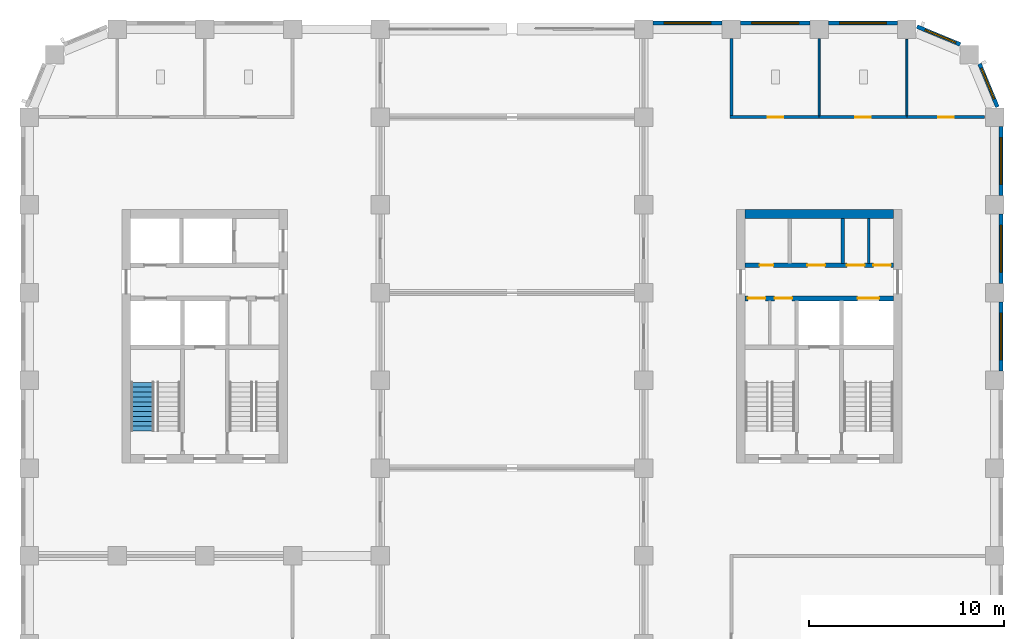
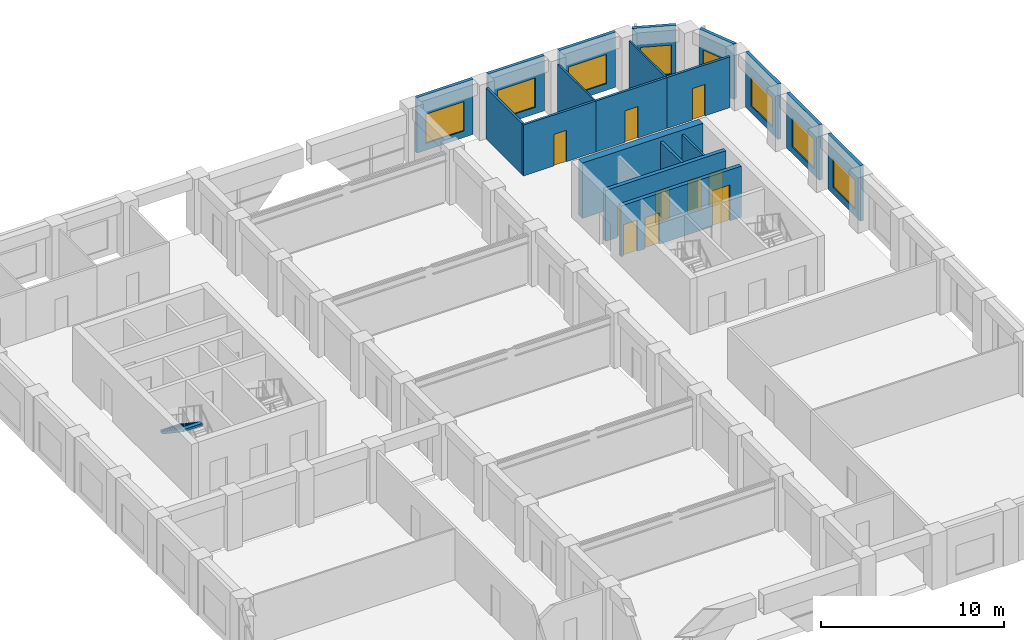
# One storey, part 10 of 14: 19 walls, 10 doors, 8 windows, 1 stair flight, 18 openings, 1 element without a shape of its own.
"""IFC4 building model written with IfcOpenShell, lengths in metres."""

from ifc_helpers import new_model, si_unit, direction, frame, frame_2d, origin, place, context, subcontext, project, spatial, polyline, rectangle, outline, extrude, material, layer, layer_set, type_object, element, fill, aggregate, save


model = new_model("IFC4")

# Units and contexts
model_context = context("Model", 3, precision=1e-05, world=origin(), true_north=direction((0.0, 1.0)))
body_context = subcontext(model_context, "Body", "Model", "MODEL_VIEW")
ifc_project = project(units=[si_unit("LENGTHUNIT", "METRE"), si_unit("AREAUNIT", "SQUARE_METRE"), si_unit("VOLUMEUNIT", "CUBIC_METRE"), si_unit("PLANEANGLEUNIT", "RADIAN"), si_unit("MASSUNIT", "GRAM", prefix="KILO")], contexts=[model_context])

# Site, building, storey
site_placement = place(None, origin())
site = spatial("IfcSite", under=ifc_project, at=site_placement, CompositionType="ELEMENT")
building_placement = place(site_placement, origin())
building = spatial("IfcBuilding", under=site, at=building_placement, Name="Girih Gate Residences", CompositionType="ELEMENT")
storey_placement = place(building_placement, frame((0.0, 0.0, 172.60009765625)))
storey = spatial("IfcBuildingStorey", under=building, at=storey_placement, Name="L47", CompositionType="ELEMENT", Elevation=172.60009765625)

# Wall, opening, door
ifc_material_1 = material(Name="Gypsum board on steel studs", Category="steel")
ifc_layer_1 = layer(ifc_material_1, 0.14990234375)
ifc_layer_set_1 = layer_set([ifc_layer_1], Name="Compartment wall 150 mm")
wall_type_1 = type_object("IfcWallType", Name="Compartment wall 150 mm", PredefinedType="PARTITIONING", material=ifc_layer_set_1)
wall_1_placement = place(storey_placement, frame((45.0, 45.0, 0.0), z_axis=(0.0, 0.0, 1.0), x_axis=(1.0, 0.0, 0.0)))
wall_1 = element("IfcWall", 1, at=wall_1_placement, inside=storey, type_object=wall_type_1, Name="L47 partition", PredefinedType="PARTITIONING", context=body_context, shape_type="SweptSolid", body=[
    extrude(rectangle(XDim=3.98583984375, YDim=0.14990234375, at=frame_2d((1.992919921875, 0.0))), origin(), (0.0, 0.0, 1.0), 3.39990234375),
])
opening_1_placement = place(wall_1_placement, frame((1.593017578125, 0.0, 0.0)))
opening_1 = element("IfcOpeningElement", 2, at=opening_1_placement, cuts=wall_1, Name="Opening D-L47-S-010", PredefinedType="OPENING", context=body_context, shape_type="SweptSolid", body=[
    extrude(rectangle(XDim=0.800048828125, YDim=2.10009765625, at=frame_2d((0.39990234375, 1.050048828125))), frame((0.0, 0.0849609375, 0.0), z_axis=(0.0, -1.0, 0.0), x_axis=(1.0, 0.0, 0.0)), (0.0, 0.0, 1.0), 0.169921875),
])
ifc_material_2 = material(Name="Timber", Category="wood")
door_type_1 = type_object("IfcDoorType", Name="WC and store door 800x2100", OperationType="SINGLE_SWING_LEFT", PredefinedType="DOOR", material=ifc_material_2)
door_1_placement = place(opening_1_placement, origin())
door_1 = element("IfcDoor", 3, at=door_1_placement, inside=storey, type_object=door_type_1, Name="Door L47-010", OperationType="SINGLE_SWING_RIGHT", OverallHeight=2.10009765625, OverallWidth=0.800048828125, PredefinedType="DOOR", context=body_context, shape_type="SweptSolid", body=[
    extrude(rectangle(XDim=0.800048828125, YDim=2.10009765625, at=frame_2d((0.39990234375, 1.050048828125))), frame((0.0, 0.02490234375, 0.0), z_axis=(0.0, -1.0, 0.0), x_axis=(1.0, 0.0, 0.0)), (0.0, 0.0, 1.0), 0.050048828125),
])
fill(opening_1, door_1)

wall_2_placement = place(storey_placement, frame((40.5, 45.0, 0.0), z_axis=(0.0, 0.0, 1.0), x_axis=(1.0, 0.0, 0.0)))
wall_2 = element("IfcWall", 4, at=wall_2_placement, inside=storey, type_object=wall_type_1, Name="L47 partition", PredefinedType="PARTITIONING", context=body_context, shape_type="SweptSolid", body=[
    extrude(rectangle(XDim=4.5, YDim=0.14990234375, at=frame_2d((2.25, 0.0))), origin(), (0.0, 0.0, 1.0), 3.39990234375),
])
opening_2_placement = place(wall_2_placement, frame((1.85009765625, 0.0, 0.0)))
opening_2 = element("IfcOpeningElement", 5, at=opening_2_placement, cuts=wall_2, Name="Opening D-L47-S-011", PredefinedType="OPENING", context=body_context, shape_type="SweptSolid", body=[
    extrude(rectangle(XDim=0.800048828125, YDim=2.10009765625, at=frame_2d((0.39990234375, 1.050048828125))), frame((0.0, 0.0849609375, 0.0), z_axis=(0.0, -1.0, 0.0), x_axis=(1.0, 0.0, 0.0)), (0.0, 0.0, 1.0), 0.169921875),
])
door_2_placement = place(opening_2_placement, origin())
door_2 = element("IfcDoor", 6, at=door_2_placement, inside=storey, type_object=door_type_1, Name="Door L47-011", OperationType="SINGLE_SWING_RIGHT", OverallHeight=2.10009765625, OverallWidth=0.800048828125, PredefinedType="DOOR", context=body_context, shape_type="SweptSolid", body=[
    extrude(rectangle(XDim=0.800048828125, YDim=2.10009765625, at=frame_2d((0.39990234375, 1.050048828125))), frame((0.0, 0.02490234375, 0.0), z_axis=(0.0, -1.0, 0.0), x_axis=(1.0, 0.0, 0.0)), (0.0, 0.0, 1.0), 0.050048828125),
])
fill(opening_2, door_2)

# Wall
wall_3_placement = place(storey_placement, frame((36.0, 45.074951171875, 0.0), z_axis=(0.0, 0.0, 1.0), x_axis=(0.0, 1.0, 0.0)))
element("IfcWall", 7, at=wall_3_placement, inside=storey, type_object=wall_type_1, Name="L47 partition", PredefinedType="PARTITIONING", context=body_context, shape_type="SweptSolid", body=[
    extrude(rectangle(XDim=3.949951171875, YDim=0.14990234375, at=frame_2d((1.97509765625, 0.0))), origin(), (0.0, 0.0, 1.0), 3.39990234375),
])

# Wall, opening, door
wall_4_placement = place(storey_placement, frame((35.925048828125, 45.0, 0.0), z_axis=(0.0, 0.0, 1.0), x_axis=(1.0, 0.0, 0.0)))
wall_4 = element("IfcWall", 8, at=wall_4_placement, inside=storey, type_object=wall_type_1, Name="L47 partition", PredefinedType="PARTITIONING", context=body_context, shape_type="SweptSolid", body=[
    extrude(rectangle(XDim=4.574951171875, YDim=0.14990234375, at=frame_2d((2.28759765625, 0.0))), origin(), (0.0, 0.0, 1.0), 3.39990234375),
])
opening_3_placement = place(wall_4_placement, frame((1.925048828125, 0.0, 0.0)))
opening_3 = element("IfcOpeningElement", 9, at=opening_3_placement, cuts=wall_4, Name="Opening D-L47-S-012", PredefinedType="OPENING", context=body_context, shape_type="SweptSolid", body=[
    extrude(rectangle(XDim=0.800048828125, YDim=2.10009765625, at=frame_2d((0.39990234375, 1.050048828125))), frame((0.0, 0.0849609375, 0.0), z_axis=(0.0, -1.0, 0.0), x_axis=(1.0, 0.0, 0.0)), (0.0, 0.0, 1.0), 0.169921875),
])
door_3_placement = place(opening_3_placement, origin())
door_3 = element("IfcDoor", 10, at=door_3_placement, inside=storey, type_object=door_type_1, Name="Door L47-012", OperationType="SINGLE_SWING_RIGHT", OverallHeight=2.10009765625, OverallWidth=0.800048828125, PredefinedType="DOOR", context=body_context, shape_type="SweptSolid", body=[
    extrude(rectangle(XDim=0.800048828125, YDim=2.10009765625, at=frame_2d((0.39990234375, 1.050048828125))), frame((0.0, 0.02490234375, 0.0), z_axis=(0.0, -1.0, 0.0), x_axis=(1.0, 0.0, 0.0)), (0.0, 0.0, 1.0), 0.050048828125),
])
fill(opening_3, door_3)

# Wall
ifc_material_3 = material(Name="Concrete C60/75", Category="concrete")
ifc_layer_2 = layer(ifc_material_3, 0.449951171875)
ifc_layer_set_2 = layer_set([ifc_layer_2], Name="Core wall RC 450 Concrete C60/75")
wall_type_2 = type_object("IfcWallType", Name="Core wall RC 450 Concrete C60/75", PredefinedType="SOLIDWALL", material=ifc_layer_set_2)
wall_5_placement = place(storey_placement, frame((36.699951171875, 40.02490234375, 0.0), z_axis=(0.0, 0.0, 1.0), x_axis=(1.0, 0.0, 0.0)))
element("IfcWall", 11, at=wall_5_placement, inside=storey, type_object=wall_type_2, Name="Core wall E-N L47", PredefinedType="SOLIDWALL", context=body_context, shape_type="SweptSolid", body=[
    extrude(rectangle(XDim=7.60009765625, YDim=0.449951171875, at=frame_2d((3.800048828125, 0.0))), origin(), (0.0, 0.0, 1.0), 3.699951171875),
])

# Wall, openings, doors
ifc_material_4 = material(Name="Concrete C40/50", Category="concrete")
ifc_layer_3 = layer(ifc_material_4, 0.25)
ifc_layer_set_3 = layer_set([ifc_layer_3], Name="Lift shaft wall 250")
wall_type_3 = type_object("IfcWallType", Name="Lift shaft wall 250", PredefinedType="SOLIDWALL", material=ifc_layer_set_3)
wall_6_placement = place(storey_placement, frame((36.699951171875, 35.699951171875, 0.0), z_axis=(0.0, 0.0, 1.0), x_axis=(1.0, 0.0, 0.0)))
wall_6 = element("IfcWall", 12, at=wall_6_placement, inside=storey, type_object=wall_type_3, Name="L47 E core wall H2", PredefinedType="SOLIDWALL", context=body_context, shape_type="SweptSolid", body=[
    extrude(rectangle(XDim=7.60009765625, YDim=0.25, at=frame_2d((3.800048828125, 0.0))), origin(), (0.0, 0.0, 1.0), 3.39990234375),
])
opening_4_placement = place(wall_6_placement, frame((5.77490234375, 0.0, 0.0)))
opening_4 = element("IfcOpeningElement", 13, at=opening_4_placement, cuts=wall_6, Name="Opening D-L47-E-003", PredefinedType="OPENING", context=body_context, shape_type="SweptSolid", body=[
    extrude(rectangle(XDim=1.10009765625, YDim=2.39990234375, at=frame_2d((0.550048828125, 1.199951171875))), frame((0.0, 0.135009765625, 0.0), z_axis=(0.0, -1.0, 0.0), x_axis=(1.0, 0.0, 0.0)), (0.0, 0.0, 1.0), 0.27001953125),
])
opening_5_placement = place(wall_6_placement, frame((1.512451171875, 0.0, 0.0)))
opening_5 = element("IfcOpeningElement", 14, at=opening_5_placement, cuts=wall_6, Name="Opening D-L47-E-006", PredefinedType="OPENING", context=body_context, shape_type="SweptSolid", body=[
    extrude(rectangle(XDim=0.89990234375, YDim=2.10009765625, at=frame_2d((0.449951171875, 1.050048828125))), frame((0.0, 0.135009765625, 0.0), z_axis=(0.0, -1.0, 0.0), x_axis=(1.0, 0.0, 0.0)), (0.0, 0.0, 1.0), 0.27001953125),
])
opening_6_placement = place(wall_6_placement, frame((0.137451171875, 0.0, 0.0)))
opening_6 = element("IfcOpeningElement", 15, at=opening_6_placement, cuts=wall_6, Name="Opening D-L47-E-007", PredefinedType="OPENING", context=body_context, shape_type="SweptSolid", body=[
    extrude(rectangle(XDim=0.89990234375, YDim=2.10009765625, at=frame_2d((0.449951171875, 1.050048828125))), frame((0.0, 0.135009765625, 0.0), z_axis=(0.0, -1.0, 0.0), x_axis=(1.0, 0.0, 0.0)), (0.0, 0.0, 1.0), 0.27001953125),
])
ifc_material_5 = material(Name="Painted steel, fire-resisting", Category="steel")
door_type_2 = type_object("IfcDoorType", Name="Fire door 900x2100", OperationType="SINGLE_SWING_LEFT", PredefinedType="DOOR", material=ifc_material_5)
door_4_placement = place(opening_5_placement, origin())
door_4 = element("IfcDoor", 16, at=door_4_placement, inside=storey, type_object=door_type_2, Name="L47 E store door", OperationType="SINGLE_SWING_LEFT", OverallHeight=2.10009765625, OverallWidth=0.89990234375, PredefinedType="DOOR", context=body_context, shape_type="SweptSolid", body=[
    extrude(rectangle(XDim=0.89990234375, YDim=2.10009765625, at=frame_2d((0.449951171875, 1.050048828125))), frame((0.0, 0.02490234375, 0.0), z_axis=(0.0, -1.0, 0.0), x_axis=(1.0, 0.0, 0.0)), (0.0, 0.0, 1.0), 0.050048828125),
])
fill(opening_5, door_4)
door_5_placement = place(opening_6_placement, origin())
door_5 = element("IfcDoor", 17, at=door_5_placement, inside=storey, type_object=door_type_2, Name="L47 E comms room door", OperationType="SINGLE_SWING_LEFT", OverallHeight=2.10009765625, OverallWidth=0.89990234375, PredefinedType="DOOR", context=body_context, shape_type="SweptSolid", body=[
    extrude(rectangle(XDim=0.89990234375, YDim=2.10009765625, at=frame_2d((0.449951171875, 1.050048828125))), frame((0.0, 0.02490234375, 0.0), z_axis=(0.0, -1.0, 0.0), x_axis=(1.0, 0.0, 0.0)), (0.0, 0.0, 1.0), 0.050048828125),
])
fill(opening_6, door_5)
ifc_material_6 = material(Name="Stainless steel", Category="steel")
door_type_3 = type_object("IfcDoorType", Name="Lift landing door 1100x2400", OperationType="SLIDING_TO_LEFT", PredefinedType="DOOR", material=ifc_material_6)
door_6_placement = place(opening_4_placement, origin())
door_6 = element("IfcDoor", 18, at=door_6_placement, inside=storey, type_object=door_type_3, Name="L47 lift HR-E1 landing door", OperationType="SLIDING_TO_LEFT", OverallHeight=2.39990234375, OverallWidth=1.10009765625, PredefinedType="DOOR", context=body_context, shape_type="SweptSolid", body=[
    extrude(rectangle(XDim=1.10009765625, YDim=2.39990234375, at=frame_2d((0.550048828125, 1.199951171875))), frame((0.0, 0.02490234375, 0.0), z_axis=(0.0, -1.0, 0.0), x_axis=(1.0, 0.0, 0.0)), (0.0, 0.0, 1.0), 0.050048828125),
])
fill(opening_4, door_6)

wall_7_placement = place(storey_placement, frame((36.699951171875, 37.39990234375, 0.0), z_axis=(0.0, 0.0, 1.0), x_axis=(1.0, 0.0, 0.0)))
wall_7 = element("IfcWall", 19, at=wall_7_placement, inside=storey, type_object=wall_type_3, Name="L47 E core wall H3", PredefinedType="SOLIDWALL", context=body_context, shape_type="SweptSolid", body=[
    extrude(rectangle(XDim=7.60009765625, YDim=0.25, at=frame_2d((3.800048828125, 0.0))), origin(), (0.0, 0.0, 1.0), 3.39990234375),
])
opening_7_placement = place(wall_7_placement, frame((0.75, 0.0, 0.0)))
opening_7 = element("IfcOpeningElement", 20, at=opening_7_placement, cuts=wall_7, Name="Opening D-L47-E-005", PredefinedType="OPENING", context=body_context, shape_type="SweptSolid", body=[
    extrude(rectangle(XDim=0.699951171875, YDim=2.10009765625, at=frame_2d((0.35009765625, 1.050048828125))), frame((0.0, 0.135009765625, 0.0), z_axis=(0.0, -1.0, 0.0), x_axis=(1.0, 0.0, 0.0)), (0.0, 0.0, 1.0), 0.27001953125),
])
opening_8_placement = place(wall_7_placement, frame((6.574951171875, 0.0, 0.0)))
opening_8 = element("IfcOpeningElement", 21, at=opening_8_placement, cuts=wall_7, Name="Opening D-L47-E-008", PredefinedType="OPENING", context=body_context, shape_type="SweptSolid", body=[
    extrude(rectangle(XDim=0.89990234375, YDim=2.10009765625, at=frame_2d((0.449951171875, 1.050048828125))), frame((0.0, 0.135009765625, 0.0), z_axis=(0.0, -1.0, 0.0), x_axis=(1.0, 0.0, 0.0)), (0.0, 0.0, 1.0), 0.27001953125),
])
opening_9_placement = place(wall_7_placement, frame((5.22509765625, 0.0, 0.0)))
opening_9 = element("IfcOpeningElement", 22, at=opening_9_placement, cuts=wall_7, Name="Opening D-L47-E-009", PredefinedType="OPENING", context=body_context, shape_type="SweptSolid", body=[
    extrude(rectangle(XDim=0.89990234375, YDim=2.10009765625, at=frame_2d((0.449951171875, 1.050048828125))), frame((0.0, 0.135009765625, 0.0), z_axis=(0.0, -1.0, 0.0), x_axis=(1.0, 0.0, 0.0)), (0.0, 0.0, 1.0), 0.27001953125),
])
opening_10_placement = place(wall_7_placement, frame((3.199951171875, 0.0, 0.0)))
opening_10 = element("IfcOpeningElement", 23, at=opening_10_placement, cuts=wall_7, Name="Opening D-L47-E-010", PredefinedType="OPENING", context=body_context, shape_type="SweptSolid", body=[
    extrude(rectangle(XDim=0.89990234375, YDim=2.10009765625, at=frame_2d((0.449951171875, 1.050048828125))), frame((0.0, 0.135009765625, 0.0), z_axis=(0.0, -1.0, 0.0), x_axis=(1.0, 0.0, 0.0)), (0.0, 0.0, 1.0), 0.27001953125),
])
door_7_placement = place(opening_8_placement, origin())
door_7 = element("IfcDoor", 24, at=door_7_placement, inside=storey, type_object=door_type_2, Name="L47 E refuse store door", OperationType="SINGLE_SWING_LEFT", OverallHeight=2.10009765625, OverallWidth=0.89990234375, PredefinedType="DOOR", context=body_context, shape_type="SweptSolid", body=[
    extrude(rectangle(XDim=0.89990234375, YDim=2.10009765625, at=frame_2d((0.449951171875, 1.050048828125))), frame((0.0, 0.02490234375, 0.0), z_axis=(0.0, -1.0, 0.0), x_axis=(1.0, 0.0, 0.0)), (0.0, 0.0, 1.0), 0.050048828125),
])
fill(opening_8, door_7)
door_8_placement = place(opening_9_placement, origin())
door_8 = element("IfcDoor", 25, at=door_8_placement, inside=storey, type_object=door_type_2, Name="L47 E cleaners store door", OperationType="SINGLE_SWING_LEFT", OverallHeight=2.10009765625, OverallWidth=0.89990234375, PredefinedType="DOOR", context=body_context, shape_type="SweptSolid", body=[
    extrude(rectangle(XDim=0.89990234375, YDim=2.10009765625, at=frame_2d((0.449951171875, 1.050048828125))), frame((0.0, 0.02490234375, 0.0), z_axis=(0.0, -1.0, 0.0), x_axis=(1.0, 0.0, 0.0)), (0.0, 0.0, 1.0), 0.050048828125),
])
fill(opening_9, door_8)
door_9_placement = place(opening_10_placement, origin())
door_9 = element("IfcDoor", 26, at=door_9_placement, inside=storey, type_object=door_type_2, Name="L47 E maintenance store door", OperationType="SINGLE_SWING_LEFT", OverallHeight=2.10009765625, OverallWidth=0.89990234375, PredefinedType="DOOR", context=body_context, shape_type="SweptSolid", body=[
    extrude(rectangle(XDim=0.89990234375, YDim=2.10009765625, at=frame_2d((0.449951171875, 1.050048828125))), frame((0.0, 0.02490234375, 0.0), z_axis=(0.0, -1.0, 0.0), x_axis=(1.0, 0.0, 0.0)), (0.0, 0.0, 1.0), 0.050048828125),
])
fill(opening_10, door_9)
door_type_4 = type_object("IfcDoorType", Name="Riser access door 700x2100", OperationType="SINGLE_SWING_LEFT", PredefinedType="DOOR", material=ifc_material_5)
door_10_placement = place(opening_7_placement, origin())
door_10 = element("IfcDoor", 27, at=door_10_placement, inside=storey, type_object=door_type_4, Name="L47 E riser room door", OperationType="SINGLE_SWING_LEFT", OverallHeight=2.10009765625, OverallWidth=0.699951171875, PredefinedType="DOOR", context=body_context, shape_type="SweptSolid", body=[
    extrude(rectangle(XDim=0.699951171875, YDim=2.10009765625, at=frame_2d((0.35009765625, 1.050048828125))), frame((0.0, 0.02490234375, 0.0), z_axis=(0.0, -1.0, 0.0), x_axis=(1.0, 0.0, 0.0)), (0.0, 0.0, 1.0), 0.050048828125),
])
fill(opening_7, door_10)

# Walls
ifc_layer_4 = layer(ifc_material_1, 0.10009765625)
ifc_layer_set_4 = layer_set([ifc_layer_4], Name="Partition 100 mm")
wall_type_4 = type_object("IfcWallType", Name="Partition 100 mm", PredefinedType="PARTITIONING", material=ifc_layer_set_4)
wall_8_placement = place(storey_placement, frame((45.0, 45.074951171875, 0.0), z_axis=(0.0, 0.0, 1.0), x_axis=(0.0, 1.0, 0.0)))
element("IfcWall", 28, at=wall_8_placement, inside=storey, type_object=wall_type_4, Name="L47 partition", PredefinedType="PARTITIONING", context=body_context, shape_type="SweptSolid", body=[
    extrude(rectangle(XDim=3.910888671875, YDim=0.10009765625, at=frame_2d((1.95556640625, 0.0))), origin(), (0.0, 0.0, 1.0), 3.39990234375),
])
wall_9_placement = place(storey_placement, frame((40.5, 45.074951171875, 0.0), z_axis=(0.0, 0.0, 1.0), x_axis=(0.0, 1.0, 0.0)))
element("IfcWall", 29, at=wall_9_placement, inside=storey, type_object=wall_type_4, Name="L47 partition", PredefinedType="PARTITIONING", context=body_context, shape_type="SweptSolid", body=[
    extrude(rectangle(XDim=3.949951171875, YDim=0.10009765625, at=frame_2d((1.97509765625, 0.0))), origin(), (0.0, 0.0, 1.0), 3.39990234375),
])

# Wall, opening, window
ifc_material_7 = material(Name="Precast concrete C50/60", Category="concrete")
ifc_layer_5 = layer(ifc_material_7, 0.06005859375, Name="Outer leaf")
ifc_material_8 = material(Name="Rigid PIR insulation")
ifc_layer_6 = layer(ifc_material_8, 0.090087890625, Name="Insulation")
ifc_material_9 = material(Name="Precast concrete C40/50", Category="concrete")
ifc_layer_7 = layer(ifc_material_9, 0.050048828125, Name="Inner leaf")
ifc_layer_set_5 = layer_set([ifc_layer_5, ifc_layer_6, ifc_layer_7], Name="Precast concrete C50/60 external wall 200")
wall_type_5 = type_object("IfcWallType", Name="Precast concrete C50/60 external wall 200", PredefinedType="SOLIDWALL", material=ifc_layer_set_5)
wall_10_placement = place(storey_placement, frame((49.824951171875, 35.52490234375, 0.0), z_axis=(0.0, 0.0, 1.0), x_axis=(0.0, -1.0, 0.0)))
wall_10 = element("IfcWall", 30, at=wall_10_placement, inside=storey, type_object=wall_type_5, Name="External wall E0495_0045.6", PredefinedType="SOLIDWALL", context=body_context, shape_type="SweptSolid", body=[
    extrude(rectangle(XDim=3.5498046875, YDim=0.199951171875, at=frame_2d((1.77490234375, 0.0))), origin(), (0.0, 0.0, 1.0), 3.699951171875),
])
opening_11_placement = place(wall_10_placement, frame((0.574951171875, 0.0, 0.449951171875)))
opening_11 = element("IfcOpeningElement", 31, at=opening_11_placement, cuts=wall_10, Name="Opening W-1C", PredefinedType="OPENING", context=body_context, shape_type="SweptSolid", body=[
    extrude(rectangle(XDim=2.39990234375, YDim=1.949951171875, at=frame_2d((1.199951171875, 0.97509765625))), frame((0.0, 0.10986328125, 0.0), z_axis=(0.0, -1.0, 0.0), x_axis=(1.0, 0.0, 0.0)), (0.0, 0.0, 1.0), 0.219970703125),
])
ifc_material_10 = material(Name="Double glazing in aluminium frame", Category="aluminium")
window_type_1 = type_object("IfcWindowType", Name="Window W-1C 2400x1950", PartitioningType="SINGLE_PANEL", PredefinedType="WINDOW", material=ifc_material_10)
window_1_placement = place(opening_11_placement, origin())
window_1 = element("IfcWindow", 32, at=window_1_placement, inside=storey, type_object=window_type_1, Name="Window W-1C E0495_0045.6", OverallHeight=1.949951171875, OverallWidth=2.39990234375, PartitioningType="SINGLE_PANEL", PredefinedType="WINDOW", context=body_context, shape_type="SweptSolid", body=[
    extrude(rectangle(XDim=2.39990234375, YDim=1.949951171875, at=frame_2d((1.199951171875, 0.97509765625))), frame((0.0, 0.030029296875, 0.0), z_axis=(0.0, -1.0, 0.0), x_axis=(1.0, 0.0, 0.0)), (0.0, 0.0, 1.0), 0.06005859375),
])
fill(opening_11, window_1)

wall_11_placement = place(storey_placement, frame((49.824951171875, 40.02490234375, 0.0), z_axis=(0.0, 0.0, 1.0), x_axis=(0.0, -1.0, 0.0)))
wall_11 = element("IfcWall", 33, at=wall_11_placement, inside=storey, type_object=wall_type_5, Name="External wall E0495_0045.7", PredefinedType="SOLIDWALL", context=body_context, shape_type="SweptSolid", body=[
    extrude(rectangle(XDim=3.5498046875, YDim=0.199951171875, at=frame_2d((1.77490234375, 0.0))), origin(), (0.0, 0.0, 1.0), 3.699951171875),
])
opening_12_placement = place(wall_11_placement, frame((0.574951171875, 0.0, 0.449951171875)))
opening_12 = element("IfcOpeningElement", 34, at=opening_12_placement, cuts=wall_11, Name="Opening W-1C", PredefinedType="OPENING", context=body_context, shape_type="SweptSolid", body=[
    extrude(rectangle(XDim=2.39990234375, YDim=1.949951171875, at=frame_2d((1.199951171875, 0.97509765625))), frame((0.0, 0.10986328125, 0.0), z_axis=(0.0, -1.0, 0.0), x_axis=(1.0, 0.0, 0.0)), (0.0, 0.0, 1.0), 0.219970703125),
])
window_2_placement = place(opening_12_placement, origin())
window_2 = element("IfcWindow", 35, at=window_2_placement, inside=storey, type_object=window_type_1, Name="Window W-1C E0495_0045.7", OverallHeight=1.949951171875, OverallWidth=2.39990234375, PartitioningType="SINGLE_PANEL", PredefinedType="WINDOW", context=body_context, shape_type="SweptSolid", body=[
    extrude(rectangle(XDim=2.39990234375, YDim=1.949951171875, at=frame_2d((1.199951171875, 0.97509765625))), frame((0.0, 0.030029296875, 0.0), z_axis=(0.0, -1.0, 0.0), x_axis=(1.0, 0.0, 0.0)), (0.0, 0.0, 1.0), 0.06005859375),
])
fill(opening_12, window_2)

wall_12_placement = place(storey_placement, frame((49.824951171875, 44.52490234375, 0.0), z_axis=(0.0, 0.0, 1.0), x_axis=(0.0, -1.0, 0.0)))
wall_12 = element("IfcWall", 36, at=wall_12_placement, inside=storey, type_object=wall_type_5, Name="External wall E0495_0045.8", PredefinedType="SOLIDWALL", context=body_context, shape_type="SweptSolid", body=[
    extrude(rectangle(XDim=3.5498046875, YDim=0.199951171875, at=frame_2d((1.77490234375, 0.0))), origin(), (0.0, 0.0, 1.0), 3.699951171875),
])
opening_13_placement = place(wall_12_placement, frame((0.574951171875, 0.0, 0.449951171875)))
opening_13 = element("IfcOpeningElement", 37, at=opening_13_placement, cuts=wall_12, Name="Opening W-1C", PredefinedType="OPENING", context=body_context, shape_type="SweptSolid", body=[
    extrude(rectangle(XDim=2.39990234375, YDim=1.949951171875, at=frame_2d((1.199951171875, 0.97509765625))), frame((0.0, 0.10986328125, 0.0), z_axis=(0.0, -1.0, 0.0), x_axis=(1.0, 0.0, 0.0)), (0.0, 0.0, 1.0), 0.219970703125),
])
window_3_placement = place(opening_13_placement, origin())
window_3 = element("IfcWindow", 38, at=window_3_placement, inside=storey, type_object=window_type_1, Name="Window W-1C E0495_0045.8", OverallHeight=1.949951171875, OverallWidth=2.39990234375, PartitioningType="SINGLE_PANEL", PredefinedType="WINDOW", context=body_context, shape_type="SweptSolid", body=[
    extrude(rectangle(XDim=2.39990234375, YDim=1.949951171875, at=frame_2d((1.199951171875, 0.97509765625))), frame((0.0, 0.030029296875, 0.0), z_axis=(0.0, -1.0, 0.0), x_axis=(1.0, 0.0, 0.0)), (0.0, 0.0, 1.0), 0.06005859375),
])
fill(opening_13, window_3)

wall_13_placement = place(storey_placement, frame((48.7197265625, 47.73291015625, 0.0), z_axis=(0.0, 0.0, 1.0), x_axis=(0.382680855588, -0.923880599843, 0.0)))
wall_13 = element("IfcWall", 39, at=wall_13_placement, inside=storey, type_object=wall_type_5, Name="External wall NE0495_0450.0", PredefinedType="SOLIDWALL", context=body_context, shape_type="SweptSolid", body=[
    extrude(rectangle(XDim=2.402587890625, YDim=0.199951171875, at=frame_2d((1.201171875, 0.0))), origin(), (0.0, 0.0, 1.0), 3.699951171875),
])
opening_14_placement = place(wall_13_placement, frame((0.25146484375, 0.0, 0.449951171875)))
opening_14 = element("IfcOpeningElement", 40, at=opening_14_placement, cuts=wall_13, Name="Opening W-2E", PredefinedType="OPENING", context=body_context, shape_type="SweptSolid", body=[
    extrude(rectangle(XDim=1.699951171875, YDim=1.949951171875, at=frame_2d((0.85009765625, 0.97509765625))), frame((0.0, 0.10986328125, 0.0), z_axis=(0.0, -1.0, 0.0), x_axis=(1.0, 0.0, 0.0)), (0.0, 0.0, 1.0), 0.219970703125),
])
window_type_2 = type_object("IfcWindowType", Name="Window W-2E 1700x1950", PartitioningType="SINGLE_PANEL", PredefinedType="WINDOW", material=ifc_material_10)
window_4_placement = place(opening_14_placement, origin())
window_4 = element("IfcWindow", 41, at=window_4_placement, inside=storey, type_object=window_type_2, Name="Window W-2E NE0495_0450.0", OverallHeight=1.949951171875, OverallWidth=1.699951171875, PartitioningType="SINGLE_PANEL", PredefinedType="WINDOW", context=body_context, shape_type="SweptSolid", body=[
    extrude(rectangle(XDim=1.699951171875, YDim=1.949951171875, at=frame_2d((0.85009765625, 0.97509765625))), frame((0.0, 0.030029296875, 0.0), z_axis=(0.0, -1.0, 0.0), x_axis=(1.0, 0.0, 0.0)), (0.0, 0.0, 1.0), 0.06005859375),
])
fill(opening_14, window_4)

wall_14_placement = place(storey_placement, frame((45.51318359375, 49.63916015625, 0.0), z_axis=(0.0, 0.0, 1.0), x_axis=(0.923880599843, -0.382680855588, 0.0)))
wall_14 = element("IfcWall", 42, at=wall_14_placement, inside=storey, type_object=wall_type_5, Name="External wall NE0482_0482.0", PredefinedType="SOLIDWALL", context=body_context, shape_type="SweptSolid", body=[
    extrude(rectangle(XDim=2.402587890625, YDim=0.199951171875, at=frame_2d((1.201171875, 0.0))), origin(), (0.0, 0.0, 1.0), 3.699951171875),
])
opening_15_placement = place(wall_14_placement, frame((0.451171875, 0.0, 0.449951171875)))
opening_15 = element("IfcOpeningElement", 43, at=opening_15_placement, cuts=wall_14, Name="Opening W-2E", PredefinedType="OPENING", context=body_context, shape_type="SweptSolid", body=[
    extrude(rectangle(XDim=1.699951171875, YDim=1.949951171875, at=frame_2d((0.85009765625, 0.97509765625))), frame((0.0, 0.10986328125, 0.0), z_axis=(0.0, -1.0, 0.0), x_axis=(1.0, 0.0, 0.0)), (0.0, 0.0, 1.0), 0.219970703125),
])
window_5_placement = place(opening_15_placement, origin())
window_5 = element("IfcWindow", 44, at=window_5_placement, inside=storey, type_object=window_type_2, Name="Window W-2E NE0482_0482.0", OverallHeight=1.949951171875, OverallWidth=1.699951171875, PartitioningType="SINGLE_PANEL", PredefinedType="WINDOW", context=body_context, shape_type="SweptSolid", body=[
    extrude(rectangle(XDim=1.699951171875, YDim=1.949951171875, at=frame_2d((0.85009765625, 0.97509765625))), frame((0.0, 0.030029296875, 0.0), z_axis=(0.0, -1.0, 0.0), x_axis=(1.0, 0.0, 0.0)), (0.0, 0.0, 1.0), 0.06005859375),
])
fill(opening_15, window_5)

wall_15_placement = place(storey_placement, frame((40.97509765625, 49.824951171875, 0.0), z_axis=(0.0, 0.0, 1.0), x_axis=(1.0, 0.0, 0.0)))
wall_15 = element("IfcWall", 45, at=wall_15_placement, inside=storey, type_object=wall_type_5, Name="External wall N0450_0495.0", PredefinedType="SOLIDWALL", context=body_context, shape_type="SweptSolid", body=[
    extrude(rectangle(XDim=3.5498046875, YDim=0.199951171875, at=frame_2d((1.77490234375, 0.0))), origin(), (0.0, 0.0, 1.0), 3.699951171875),
])
opening_16_placement = place(wall_15_placement, frame((0.574951171875, 0.0, 0.449951171875)))
opening_16 = element("IfcOpeningElement", 46, at=opening_16_placement, cuts=wall_15, Name="Opening W-1C", PredefinedType="OPENING", context=body_context, shape_type="SweptSolid", body=[
    extrude(rectangle(XDim=2.39990234375, YDim=1.949951171875, at=frame_2d((1.199951171875, 0.97509765625))), frame((0.0, 0.10986328125, 0.0), z_axis=(0.0, -1.0, 0.0), x_axis=(1.0, 0.0, 0.0)), (0.0, 0.0, 1.0), 0.219970703125),
])
window_6_placement = place(opening_16_placement, origin())
window_6 = element("IfcWindow", 47, at=window_6_placement, inside=storey, type_object=window_type_1, Name="Window W-1C N0450_0495.0", OverallHeight=1.949951171875, OverallWidth=2.39990234375, PartitioningType="SINGLE_PANEL", PredefinedType="WINDOW", context=body_context, shape_type="SweptSolid", body=[
    extrude(rectangle(XDim=2.39990234375, YDim=1.949951171875, at=frame_2d((1.199951171875, 0.97509765625))), frame((0.0, 0.030029296875, 0.0), z_axis=(0.0, -1.0, 0.0), x_axis=(1.0, 0.0, 0.0)), (0.0, 0.0, 1.0), 0.06005859375),
])
fill(opening_16, window_6)

wall_16_placement = place(storey_placement, frame((36.47509765625, 49.824951171875, 0.0), z_axis=(0.0, 0.0, 1.0), x_axis=(1.0, 0.0, 0.0)))
wall_16 = element("IfcWall", 48, at=wall_16_placement, inside=storey, type_object=wall_type_5, Name="External wall N0450_0495.1", PredefinedType="SOLIDWALL", context=body_context, shape_type="SweptSolid", body=[
    extrude(rectangle(XDim=3.5498046875, YDim=0.199951171875, at=frame_2d((1.77490234375, 0.0))), origin(), (0.0, 0.0, 1.0), 3.699951171875),
])
opening_17_placement = place(wall_16_placement, frame((0.574951171875, 0.0, 0.449951171875)))
opening_17 = element("IfcOpeningElement", 49, at=opening_17_placement, cuts=wall_16, Name="Opening W-1C", PredefinedType="OPENING", context=body_context, shape_type="SweptSolid", body=[
    extrude(rectangle(XDim=2.39990234375, YDim=1.949951171875, at=frame_2d((1.199951171875, 0.97509765625))), frame((0.0, 0.10986328125, 0.0), z_axis=(0.0, -1.0, 0.0), x_axis=(1.0, 0.0, 0.0)), (0.0, 0.0, 1.0), 0.219970703125),
])
window_7_placement = place(opening_17_placement, origin())
window_7 = element("IfcWindow", 50, at=window_7_placement, inside=storey, type_object=window_type_1, Name="Window W-1C N0450_0495.1", OverallHeight=1.949951171875, OverallWidth=2.39990234375, PartitioningType="SINGLE_PANEL", PredefinedType="WINDOW", context=body_context, shape_type="SweptSolid", body=[
    extrude(rectangle(XDim=2.39990234375, YDim=1.949951171875, at=frame_2d((1.199951171875, 0.97509765625))), frame((0.0, 0.030029296875, 0.0), z_axis=(0.0, -1.0, 0.0), x_axis=(1.0, 0.0, 0.0)), (0.0, 0.0, 1.0), 0.06005859375),
])
fill(opening_17, window_7)

wall_17_placement = place(storey_placement, frame((31.97509765625, 49.824951171875, 0.0), z_axis=(0.0, 0.0, 1.0), x_axis=(1.0, 0.0, 0.0)))
wall_17 = element("IfcWall", 51, at=wall_17_placement, inside=storey, type_object=wall_type_5, Name="External wall N0450_0495.2", PredefinedType="SOLIDWALL", context=body_context, shape_type="SweptSolid", body=[
    extrude(rectangle(XDim=3.5498046875, YDim=0.199951171875, at=frame_2d((1.77490234375, 0.0))), origin(), (0.0, 0.0, 1.0), 3.699951171875),
])
opening_18_placement = place(wall_17_placement, frame((0.574951171875, 0.0, 0.449951171875)))
opening_18 = element("IfcOpeningElement", 52, at=opening_18_placement, cuts=wall_17, Name="Opening W-1C", PredefinedType="OPENING", context=body_context, shape_type="SweptSolid", body=[
    extrude(rectangle(XDim=2.39990234375, YDim=1.949951171875, at=frame_2d((1.199951171875, 0.97509765625))), frame((0.0, 0.10986328125, 0.0), z_axis=(0.0, -1.0, 0.0), x_axis=(1.0, 0.0, 0.0)), (0.0, 0.0, 1.0), 0.219970703125),
])
window_8_placement = place(opening_18_placement, origin())
window_8 = element("IfcWindow", 53, at=window_8_placement, inside=storey, type_object=window_type_1, Name="Window W-1C N0450_0495.2", OverallHeight=1.949951171875, OverallWidth=2.39990234375, PartitioningType="SINGLE_PANEL", PredefinedType="WINDOW", context=body_context, shape_type="SweptSolid", body=[
    extrude(rectangle(XDim=2.39990234375, YDim=1.949951171875, at=frame_2d((1.199951171875, 0.97509765625))), frame((0.0, 0.030029296875, 0.0), z_axis=(0.0, -1.0, 0.0), x_axis=(1.0, 0.0, 0.0)), (0.0, 0.0, 1.0), 0.06005859375),
])
fill(opening_18, window_8)

# Walls
ifc_layer_8 = layer(ifc_material_4, 0.175048828125)
ifc_layer_set_6 = layer_set([ifc_layer_8], Name="Riser shaft wall 175")
wall_type_6 = type_object("IfcWallType", Name="Riser shaft wall 175", PredefinedType="SOLIDWALL", material=ifc_layer_set_6)
wall_18_placement = place(storey_placement, frame((41.699951171875, 37.5, 0.0), z_axis=(0.0, 0.0, 1.0), x_axis=(0.0, 1.0, 0.0)))
element("IfcWall", 54, at=wall_18_placement, inside=storey, type_object=wall_type_6, Name="L47 E core wall V1c", PredefinedType="SOLIDWALL", context=body_context, shape_type="SweptSolid", body=[
    extrude(rectangle(XDim=2.300048828125, YDim=0.175048828125, at=frame_2d((1.14990234375, 0.0))), origin(), (0.0, 0.0, 1.0), 3.39990234375),
])
ifc_material_11 = material(Name="Calcium silicate blockwork", Category="masonry")
ifc_layer_9 = layer(ifc_material_11, 0.125)
ifc_layer_set_7 = layer_set([ifc_layer_9], Name="Store partition 125")
wall_type_7 = type_object("IfcWallType", Name="Store partition 125", PredefinedType="PARTITIONING", material=ifc_layer_set_7)
wall_19_placement = place(storey_placement, frame((43.050048828125, 37.5, 0.0), z_axis=(0.0, 0.0, 1.0), x_axis=(0.0, 1.0, 0.0)))
element("IfcWall", 55, at=wall_19_placement, inside=storey, type_object=wall_type_7, Name="L47 E core wall SLR1", PredefinedType="PARTITIONING", context=body_context, shape_type="SweptSolid", body=[
    extrude(rectangle(XDim=2.300048828125, YDim=0.125, at=frame_2d((1.14990234375, 0.0))), origin(), (0.0, 0.0, 1.0), 3.39990234375),
])

# Stair, stair flight
stair_type = type_object("IfcStairType", Name="Exit stair", PredefinedType="HALF_TURN_STAIR", material=ifc_material_4)
stair_placement = place(storey_placement, origin())
stair = element("IfcStair", 56, at=stair_placement, inside=storey, type_object=stair_type, Name="L47 Exit Stair ST-W1", PredefinedType="HALF_TURN_STAIR")
stair_flight_type = type_object("IfcStairFlightType", Name="Stair flight 1200", PredefinedType="STRAIGHT", material=ifc_material_4)
stair_flight_placement = place(storey_placement, frame((5.800048828125, 31.39990234375, 1.849853515625), z_axis=(0.0, 0.0, 1.0), x_axis=(0.0, -1.0, 0.0)))
stair_flight = element("IfcStairFlight", 57, at=stair_flight_placement, type_object=stair_flight_type, Name="ST-W1 flight 2", NumberOfRisers=11, NumberOfTreads=10, PredefinedType="STRAIGHT", RiserHeight=0.168181818, TreadLength=0.25, context=body_context, shape_type="SweptSolid", body=[
    extrude(outline(polyline([(0.0, 0.0), (0.0, 0.168212890625), (0.25, 0.168212890625), (0.25, 0.33642578125), (0.5, 0.33642578125), (0.5, 0.504638671875), (0.75, 0.504638671875), (0.75, 0.672607421875), (1.0, 0.672607421875), (1.0, 0.8408203125), (1.25, 0.8408203125), (1.25, 1.009033203125), (1.5, 1.009033203125), (1.5, 1.17724609375), (1.75, 1.17724609375), (1.75, 1.345458984375), (2.0, 1.345458984375), (2.0, 1.513671875), (2.25, 1.513671875), (2.25, 1.681884765625), (2.5, 1.681884765625), (2.5, 1.85009765625), (2.5, 1.537109375), (0.215087890625, 0.0), (0.0, 0.0)])), frame((0.0, 0.60009765625, 0.0), z_axis=(0.0, -1.0, 0.0), x_axis=(1.0, 0.0, 0.0)), (0.0, 0.0, 1.0), 1.199951171875),
])
aggregate(stair, [stair_flight])

save(model, "model.ifc")
